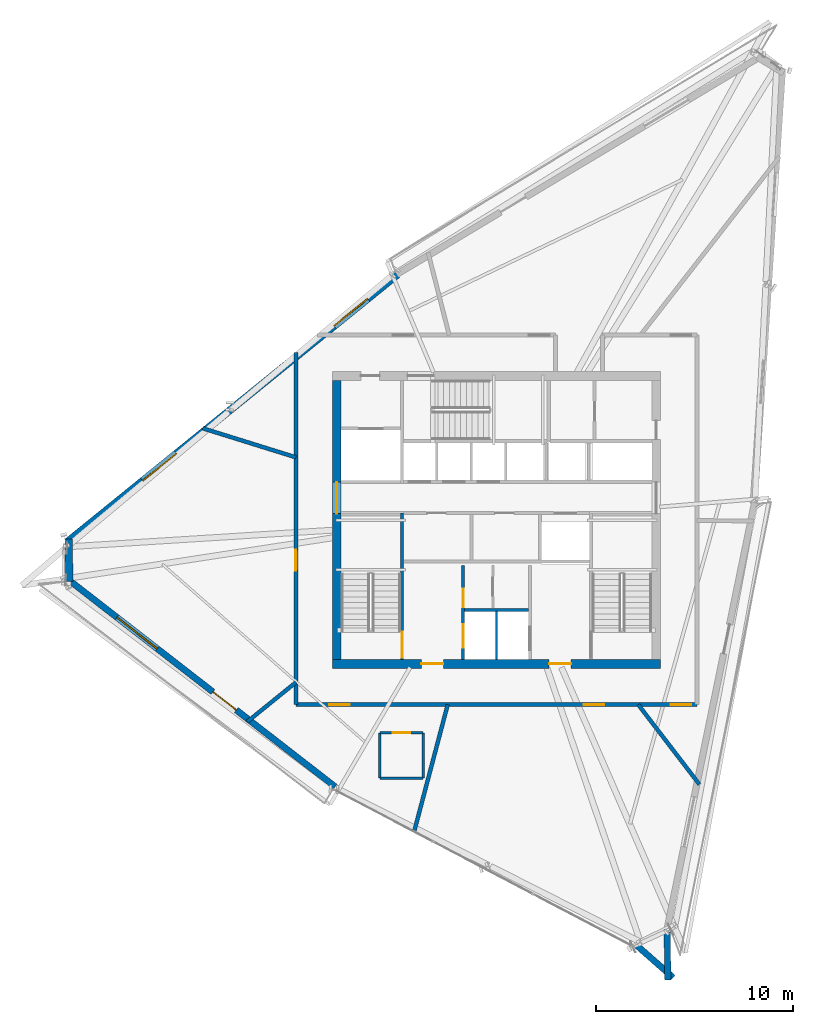
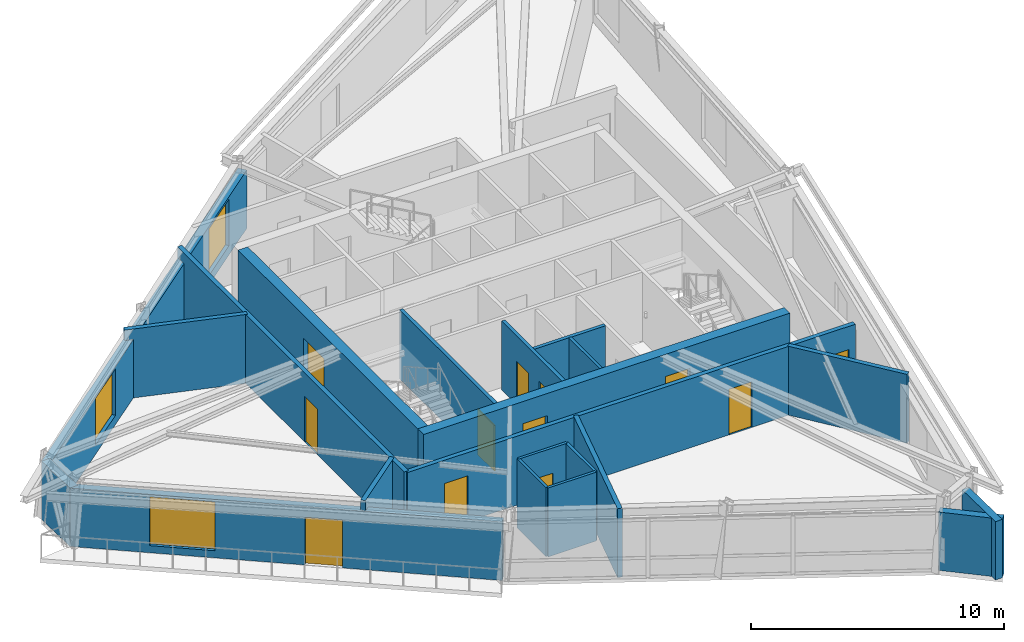
# One storey, part 9 of 14: 21 walls, 12 doors, 3 windows, 15 openings.
"""IFC4 building model written with IfcOpenShell, lengths in metres."""

from ifc_helpers import new_model, si_unit, direction, frame, frame_2d, origin, place, context, subcontext, project, spatial, rectangle, extrude, source, transform, mapped, material, layer, layer_set, type_object, type_shapes, element, fill, save


model = new_model("IFC4")

# Units and contexts
model_context = context("Model", 3, precision=1e-05, world=origin(), true_north=direction((0.0, 1.0)))
body_context = subcontext(model_context, "Body", "Model", "MODEL_VIEW")
ifc_project = project(units=[si_unit("LENGTHUNIT", "METRE"), si_unit("AREAUNIT", "SQUARE_METRE"), si_unit("VOLUMEUNIT", "CUBIC_METRE"), si_unit("PLANEANGLEUNIT", "RADIAN"), si_unit("MASSUNIT", "GRAM", prefix="KILO")], contexts=[model_context])

# Site, building, storey
site_placement = place(None, origin())
site = spatial("IfcSite", under=ifc_project, at=site_placement, CompositionType="ELEMENT")
building_placement = place(site_placement, origin())
building = spatial("IfcBuilding", under=site, at=building_placement, Name="Olszyna Solenne Hotel", CompositionType="ELEMENT")
storey_placement = place(building_placement, frame((0.0, 0.0, 274.10009765625)))
storey = spatial("IfcBuildingStorey", under=building, at=storey_placement, Name="L73", CompositionType="ELEMENT", Elevation=274.10009765625)

# Wall, openings, doors
ifc_material_1 = material(Name="Concrete C50/60", Category="concrete")
ifc_layer_1 = layer(ifc_material_1, 0.449951171875, Name="Concrete C50/60")
ifc_layer_set_1 = layer_set([ifc_layer_1], Name="Concrete C50/60")
wall_type_1 = type_object("IfcWallType", Name="WL-CR450", PredefinedType="SHEAR", material=ifc_layer_set_1)
wall_1_placement = place(storey_placement, frame((46.35009765625, 19.27490234375, 0.0), z_axis=(0.0, 0.0, 1.0), x_axis=(-1.0, 0.0, 0.0)))
wall_1 = element("IfcWall", 1, at=wall_1_placement, inside=storey, type_object=wall_type_1, Name="Core shear wall WL-CR450 CRW-L73-S", PredefinedType="SHEAR", context=body_context, shape_type="SweptSolid", body=[
    extrude(rectangle(XDim=16.7001953125, YDim=0.449951171875, at=frame_2d((8.35009765625, 0.0))), origin(), (0.0, 0.0, 1.0), 3.31982421875),
])
opening_1_placement = place(wall_1_placement, frame((4.550048828125, 0.0, 0.0)))
opening_1 = element("IfcOpeningElement", 2, at=opening_1_placement, cuts=wall_1, Name="Opening FL-L73-1", PredefinedType="OPENING", context=body_context, shape_type="SweptSolid", body=[
    extrude(rectangle(XDim=1.1201171875, YDim=2.25, at=frame_2d((0.56005859375, 1.125))), frame((0.0, 0.23486328125, 0.0), z_axis=(0.0, -1.0, 0.0), x_axis=(1.0, 0.0, 0.0)), (0.0, 0.0, 1.0), 0.469970703125),
])
opening_2_placement = place(wall_1_placement, frame((11.050048828125, 0.0, 0.0)))
opening_2 = element("IfcOpeningElement", 3, at=opening_2_placement, cuts=wall_1, Name="Opening FL-L73-2", PredefinedType="OPENING", context=body_context, shape_type="SweptSolid", body=[
    extrude(rectangle(XDim=1.1201171875, YDim=2.25, at=frame_2d((0.56005859375, 1.125))), frame((0.0, 0.23486328125, 0.0), z_axis=(0.0, -1.0, 0.0), x_axis=(1.0, 0.0, 0.0)), (0.0, 0.0, 1.0), 0.469970703125),
])
ifc_material_2 = material(Name="Steel S355J2", Category="steel")
door_type_1 = type_object("IfcDoorType", Name="DR-FL1", OperationType="NOTDEFINED", PredefinedType="DOOR", material=ifc_material_2)
shared_shape_1 = source(origin(), body_context, "Body", "SweptSolid", [
    extrude(rectangle(XDim=1.1201171875, YDim=2.25, at=frame_2d((0.56005859375, 1.125))), frame((0.0, 0.02490234375, 0.0), z_axis=(0.0, -1.0, 0.0), x_axis=(1.0, 0.0, 0.0)), (0.0, 0.0, 1.0), 0.050048828125),
])
type_shapes(door_type_1, [shared_shape_1])
door_1_placement = place(opening_1_placement, origin())
door_1 = element("IfcDoor", 4, at=door_1_placement, inside=storey, type_object=door_type_1, Name="Firefighting lift lobby smoke door FL-L73-1", OperationType="SINGLE_SWING_LEFT", OverallHeight=2.25, OverallWidth=1.1201171875, PredefinedType="DOOR", context=body_context, shape_type="MappedRepresentation", body=[
    mapped(shared_shape_1, transform((0.0, 0.0, 0.0), x_axis=(1.0, 0.0, 0.0), y_axis=(0.0, 1.0, 0.0), z_axis=(0.0, 0.0, 1.0), scale=1.0)),
])
fill(opening_1, door_1)
door_2_placement = place(opening_2_placement, origin())
door_2 = element("IfcDoor", 5, at=door_2_placement, inside=storey, type_object=door_type_1, Name="Firefighting lift lobby smoke door FL-L73-2", OperationType="SINGLE_SWING_RIGHT", OverallHeight=2.25, OverallWidth=1.1201171875, PredefinedType="DOOR", context=body_context, shape_type="MappedRepresentation", body=[
    mapped(shared_shape_1, transform((0.0, 0.0, 0.0), x_axis=(1.0, 0.0, 0.0), y_axis=(0.0, 1.0, 0.0), z_axis=(0.0, 0.0, 1.0), scale=1.0)),
])
fill(opening_2, door_2)

# Wall, opening, door
wall_2_placement = place(storey_placement, frame((29.875, 19.5, 0.0), z_axis=(0.0, 0.0, 1.0), x_axis=(0.0, 1.0, 0.0)))
wall_2 = element("IfcWall", 6, at=wall_2_placement, inside=storey, type_object=wall_type_1, Name="Core shear wall WL-CR450 CRW-L73-W", PredefinedType="SHEAR", context=body_context, shape_type="SweptSolid", body=[
    extrude(rectangle(XDim=14.199951171875, YDim=0.449951171875, at=frame_2d((7.10009765625, 0.0))), origin(), (0.0, 0.0, 1.0), 3.31982421875),
])
opening_3_placement = place(wall_2_placement, frame((7.419921875, 0.0, 0.0)))
opening_3 = element("IfcOpeningElement", 7, at=opening_3_placement, cuts=wall_2, Name="Opening LHD-L73-W", PredefinedType="OPENING", context=body_context, shape_type="SweptSolid", body=[
    extrude(rectangle(XDim=1.60009765625, YDim=2.199951171875, at=frame_2d((0.800048828125, 1.10009765625))), frame((0.0, 0.23486328125, 0.0), z_axis=(0.0, -1.0, 0.0), x_axis=(1.0, 0.0, 0.0)), (0.0, 0.0, 1.0), 0.469970703125),
])
ifc_material_3 = material(Name="Timber hardwood", Category="wood")
door_type_2 = type_object("IfcDoorType", Name="DR-CR1", OperationType="DOUBLE_DOOR_SINGLE_SWING", PredefinedType="DOOR", material=ifc_material_3)
shared_shape_2 = source(origin(), body_context, "Body", "SweptSolid", [
    extrude(rectangle(XDim=1.60009765625, YDim=2.199951171875, at=frame_2d((0.800048828125, 1.10009765625))), frame((0.0, 0.02490234375, 0.0), z_axis=(0.0, -1.0, 0.0), x_axis=(1.0, 0.0, 0.0)), (0.0, 0.0, 1.0), 0.050048828125),
])
type_shapes(door_type_2, [shared_shape_2])
door_3_placement = place(opening_3_placement, origin())
door_3 = element("IfcDoor", 8, at=door_3_placement, inside=storey, type_object=door_type_2, Name="Passenger lift lobby West fire door LHD-L73-W", OperationType="DOUBLE_DOOR_SINGLE_SWING", OverallHeight=2.199951171875, OverallWidth=1.60009765625, PredefinedType="DOOR", context=body_context, shape_type="MappedRepresentation", body=[
    mapped(shared_shape_2, transform((0.0, 0.0, 0.0), x_axis=(1.0, 0.0, 0.0), y_axis=(0.0, 1.0, 0.0), z_axis=(0.0, 0.0, 1.0), scale=1.0)),
])
fill(opening_3, door_3)

# Walls
ifc_material_4 = material(Name="Precast concrete C45/55", Category="concrete")
ifc_layer_2 = layer(ifc_material_4, 0.320068359375, Name="Precast concrete C45/55")
ifc_layer_set_2 = layer_set([ifc_layer_2], Name="Precast concrete C45/55")
wall_type_2 = type_object("IfcWallType", Name="WL-EX320", PredefinedType="SOLIDWALL", material=ifc_layer_set_2)
for number, where, z_axis, x_axis, name in (
    (9, (46.67578125, 5.770751953125, 0.0), (0.0, 0.0, 1.0), (0.015958446341, -0.999872655887, 0.0), "Exterior terracotta-precast frame wall WL-EX320 EW-L73-02"),
    (10, (46.982421875, 3.32373046875, 0.0), (0.0, 0.0, 1.0), (-0.751097809898, 0.660190942051, 0.0), "Exterior terracotta-precast frame wall WL-EX320 EW-L73-03"),
):
    element("IfcWall", number, at=place(storey_placement, frame(where, z_axis=z_axis, x_axis=x_axis)), inside=storey, type_object=wall_type_2, Name=name, PredefinedType="SOLIDWALL", context=body_context, shape_type="SweptSolid", body=[
        extrude(rectangle(XDim=2.570068359375, YDim=0.320068359375, at=frame_2d((1.28515625, 0.0))), origin(), (0.0, 0.0, 1.0), 2.81201171875),
    ])

# Wall, openings, door, window
wall_3_placement = place(storey_placement, frame((29.789794921875, 13.02783203125, 0.0), z_axis=(0.0, 0.0, 1.0), x_axis=(-0.78993873284, 0.613185778014, 0.0)))
wall_3 = element("IfcWall", 11, at=wall_3_placement, inside=storey, type_object=wall_type_2, Name="Exterior terracotta-precast frame wall WL-EX320 EW-L73-05", PredefinedType="SOLIDWALL", context=body_context, shape_type="SweptSolid", body=[
    extrude(rectangle(XDim=17.2255859375, YDim=0.320068359375, at=frame_2d((8.61279296875, 0.0))), origin(), (0.0, 0.0, 1.0), 2.81201171875),
])
opening_4_placement = place(wall_3_placement, frame((6.362060546875, 0.0, 0.0)))
opening_4 = element("IfcOpeningElement", 12, at=opening_4_placement, cuts=wall_3, Name="Opening LDG-L73-2", PredefinedType="OPENING", context=body_context, shape_type="SweptSolid", body=[
    extrude(rectangle(XDim=1.5, YDim=2.300048828125, at=frame_2d((0.75, 1.14990234375))), frame((0.0, 0.169921875, 0.0), z_axis=(0.0, -1.0, 0.0), x_axis=(1.0, 0.0, 0.0)), (0.0, 0.0, 1.0), 0.340087890625),
])
opening_5_placement = place(wall_3_placement, frame((11.447021484375, 0.0, 0.342041015625)))
opening_5 = element("IfcOpeningElement", 13, at=opening_5_placement, cuts=wall_3, Name="Opening WN-L73-488", PredefinedType="OPENING", context=body_context, shape_type="SweptSolid", body=[
    extrude(rectangle(XDim=2.60009765625, YDim=2.35009765625, at=frame_2d((1.300048828125, 1.175048828125))), frame((0.0, 0.169921875, 0.0), z_axis=(0.0, -1.0, 0.0), x_axis=(1.0, 0.0, 0.0)), (0.0, 0.0, 1.0), 0.340087890625),
])
ifc_material_5 = material(Name="Anodised bronze aluminium", Category="aluminium")
door_type_3 = type_object("IfcDoorType", Name="DR-LG2", OperationType="DOUBLE_DOOR_SINGLE_SWING", PredefinedType="DOOR", material=ifc_material_5)
shared_shape_3 = source(origin(), body_context, "Body", "SweptSolid", [
    extrude(rectangle(XDim=1.5, YDim=2.300048828125, at=frame_2d((0.75, 1.14990234375))), frame((0.0, 0.02490234375, 0.0), z_axis=(0.0, -1.0, 0.0), x_axis=(1.0, 0.0, 0.0)), (0.0, 0.0, 1.0), 0.050048828125),
])
type_shapes(door_type_3, [shared_shape_3])
door_4_placement = place(opening_4_placement, origin())
door_4 = element("IfcDoor", 14, at=door_4_placement, inside=storey, type_object=door_type_3, Name="Exterior loggia balcony door DR-LG2 LDG-L73-2", OperationType="DOUBLE_DOOR_SINGLE_SWING", OverallHeight=2.300048828125, OverallWidth=1.5, PredefinedType="DOOR", context=body_context, shape_type="MappedRepresentation", body=[
    mapped(shared_shape_3, transform((0.0, 0.0, 0.0), x_axis=(1.0, 0.0, 0.0), y_axis=(0.0, 1.0, 0.0), z_axis=(0.0, 0.0, 1.0), scale=1.0)),
])
fill(opening_4, door_4)
ifc_material_6 = material(Name="Low-E triple glazing", Category="glass")
window_type_1 = type_object("IfcWindowType", Name="WN-ST1", PartitioningType="SINGLE_PANEL", PredefinedType="WINDOW", material=ifc_material_6)
shared_shape_4 = source(origin(), body_context, "Body", "SweptSolid", [
    extrude(rectangle(XDim=2.60009765625, YDim=2.35009765625, at=frame_2d((1.300048828125, 1.175048828125))), frame((0.0, 0.030029296875, 0.0), z_axis=(0.0, -1.0, 0.0), x_axis=(1.0, 0.0, 0.0)), (0.0, 0.0, 1.0), 0.06005859375),
])
type_shapes(window_type_1, [shared_shape_4])
window_1_placement = place(opening_5_placement, origin())
window_1 = element("IfcWindow", 15, at=window_1_placement, inside=storey, type_object=window_type_1, Name="Loggia room window WN-ST1 WN-L73-488", OverallHeight=2.35009765625, OverallWidth=2.60009765625, PartitioningType="SINGLE_PANEL", PredefinedType="WINDOW", context=body_context, shape_type="MappedRepresentation", body=[
    mapped(shared_shape_4, transform((0.0, 0.0, 0.0), x_axis=(1.0, 0.0, 0.0), y_axis=(0.0, 1.0, 0.0), z_axis=(0.0, 0.0, 1.0), scale=1.0)),
])
fill(opening_5, window_1)

# Wall
ifc_material_7 = material(Name="Terracotta cladding on precast concrete C45/55", Category="masonry")
ifc_layer_3 = layer(ifc_material_7, 0.3798828125, Name="Terracotta cladding on precast concrete C45/55")
ifc_layer_set_3 = layer_set([ifc_layer_3], Name="Terracotta cladding on precast concrete C45/55")
wall_type_3 = type_object("IfcWallType", Name="WL-EX380", PredefinedType="SOLIDWALL", material=ifc_layer_set_3)
wall_4_placement = place(storey_placement, frame((16.2744140625, 23.467529296875, 0.0), z_axis=(0.0, 0.0, 1.0), x_axis=(-0.019207666141, 0.999815515763, 0.0)))
element("IfcWall", 16, at=wall_4_placement, inside=storey, type_object=wall_type_3, Name="Exterior terracotta-precast frame wall WL-EX380 EW-L73-06", PredefinedType="SOLIDWALL", context=body_context, shape_type="SweptSolid", body=[
    extrude(rectangle(XDim=2.160888671875, YDim=0.3798828125, at=frame_2d((1.08056640625, 0.0))), origin(), (0.0, 0.0, 1.0), 2.81201171875),
])

# Wall, openings, windows
wall_5_placement = place(storey_placement, frame((16.162353515625, 25.4765625, 0.0), z_axis=(0.0, 0.0, 1.0), x_axis=(0.777216193482, 0.629233651825, 0.0)))
wall_5 = element("IfcWall", 17, at=wall_5_placement, inside=storey, type_object=wall_type_3, Name="Exterior terracotta-precast frame wall WL-EX380 EW-L73-07", PredefinedType="SOLIDWALL", context=body_context, shape_type="SweptSolid", body=[
    extrude(rectangle(XDim=21.610595703125, YDim=0.3798828125, at=frame_2d((10.80517578125, 0.0))), origin(), (0.0, 0.0, 1.0), 2.81201171875),
])
opening_6_placement = place(wall_5_placement, frame((4.950927734375, 0.0, 0.44189453125)))
opening_6 = element("IfcOpeningElement", 18, at=opening_6_placement, cuts=wall_5, Name="Opening WN-L73-489", PredefinedType="OPENING", context=body_context, shape_type="SweptSolid", body=[
    extrude(rectangle(XDim=2.199951171875, YDim=2.25, at=frame_2d((1.10009765625, 1.125))), frame((0.0, 0.199951171875, 0.0), z_axis=(0.0, -1.0, 0.0), x_axis=(1.0, 0.0, 0.0)), (0.0, 0.0, 1.0), 0.39990234375),
])
opening_7_placement = place(wall_5_placement, frame((17.4599609375, 0.0, 0.44189453125)))
opening_7 = element("IfcOpeningElement", 19, at=opening_7_placement, cuts=wall_5, Name="Opening WN-L73-490", PredefinedType="OPENING", context=body_context, shape_type="SweptSolid", body=[
    extrude(rectangle(XDim=2.199951171875, YDim=2.25, at=frame_2d((1.10009765625, 1.125))), frame((0.0, 0.199951171875, 0.0), z_axis=(0.0, -1.0, 0.0), x_axis=(1.0, 0.0, 0.0)), (0.0, 0.0, 1.0), 0.39990234375),
])
window_type_2 = type_object("IfcWindowType", Name="WN-HT2", PartitioningType="SINGLE_PANEL", PredefinedType="WINDOW", material=ifc_material_6)
shared_shape_5 = source(origin(), body_context, "Body", "SweptSolid", [
    extrude(rectangle(XDim=2.199951171875, YDim=2.25, at=frame_2d((1.10009765625, 1.125))), frame((0.0, 0.030029296875, 0.0), z_axis=(0.0, -1.0, 0.0), x_axis=(1.0, 0.0, 0.0)), (0.0, 0.0, 1.0), 0.06005859375),
])
type_shapes(window_type_2, [shared_shape_5])
window_2_placement = place(opening_6_placement, origin())
window_2 = element("IfcWindow", 20, at=window_2_placement, inside=storey, type_object=window_type_2, Name="Exterior facade window WN-HT2 WN-L73-489", OverallHeight=2.25, OverallWidth=2.199951171875, PartitioningType="SINGLE_PANEL", PredefinedType="WINDOW", context=body_context, shape_type="MappedRepresentation", body=[
    mapped(shared_shape_5, transform((0.0, 0.0, 0.0), x_axis=(1.0, 0.0, 0.0), y_axis=(0.0, 1.0, 0.0), z_axis=(0.0, 0.0, 1.0), scale=1.0)),
])
fill(opening_6, window_2)
window_3_placement = place(opening_7_placement, origin())
window_3 = element("IfcWindow", 21, at=window_3_placement, inside=storey, type_object=window_type_2, Name="Exterior facade window WN-HT2 WN-L73-490", OverallHeight=2.25, OverallWidth=2.199951171875, PartitioningType="SINGLE_PANEL", PredefinedType="WINDOW", context=body_context, shape_type="MappedRepresentation", body=[
    mapped(shared_shape_5, transform((0.0, 0.0, 0.0), x_axis=(1.0, 0.0, 0.0), y_axis=(0.0, 1.0, 0.0), z_axis=(0.0, 0.0, 1.0), scale=1.0)),
])
fill(opening_7, window_3)

# Walls
ifc_material_8 = material(Name="Acoustic gypsum partition", Category="gypsum")
ifc_layer_4 = layer(ifc_material_8, 0.125, Name="Acoustic gypsum partition")
ifc_layer_set_4 = layer_set([ifc_layer_4], Name="Acoustic gypsum partition")
wall_type_4 = type_object("IfcWallType", Name="WL-PT125", PredefinedType="PARTITIONING", material=ifc_layer_set_4)
wall_6_placement = place(storey_placement, frame((38.0, 19.5, 0.0), z_axis=(0.0, 0.0, 1.0), x_axis=(0.0, 1.0, 0.0)))
element("IfcWall", 22, at=wall_6_placement, inside=storey, type_object=wall_type_4, Name="Core shaft compartment wall CW-L73-FFM", PredefinedType="PARTITIONING", context=body_context, shape_type="SweptSolid", body=[
    extrude(rectangle(XDim=2.4599609375, YDim=0.125, at=frame_2d((1.22998046875, 0.0))), origin(), (0.0, 0.0, 1.0), 3.31982421875),
])
wall_7_placement = place(storey_placement, frame((34.26806640625, 13.462890625, 0.0), z_axis=(0.0, 0.0, 1.0), x_axis=(0.0, 1.0, 0.0)))
element("IfcWall", 23, at=wall_7_placement, inside=storey, type_object=wall_type_4, Name="Interior acoustic partition WL-PT125 PW-L73-4015", PredefinedType="PARTITIONING", context=body_context, shape_type="SweptSolid", body=[
    extrude(rectangle(XDim=2.300048828125, YDim=0.125, at=frame_2d((1.14990234375, 0.0))), origin(), (0.0, 0.0, 1.0), 3.31982421875),
])

# Wall, opening, door
wall_8_placement = place(storey_placement, frame((34.26806640625, 15.762939453125, 0.0), z_axis=(0.0, 0.0, 1.0), x_axis=(-1.0, 0.0, 0.0)))
wall_8 = element("IfcWall", 24, at=wall_8_placement, inside=storey, type_object=wall_type_4, Name="Interior acoustic partition WL-PT125 PW-L73-4016", PredefinedType="PARTITIONING", context=body_context, shape_type="SweptSolid", body=[
    extrude(rectangle(XDim=2.199951171875, YDim=0.125, at=frame_2d((1.10009765625, 0.0))), origin(), (0.0, 0.0, 1.0), 3.31982421875),
])
opening_8_placement = place(wall_8_placement, frame((0.64990234375, 0.0, 0.0)))
opening_8 = element("IfcOpeningElement", 25, at=opening_8_placement, cuts=wall_8, Name="Opening DR-L73-0970", PredefinedType="OPENING", context=body_context, shape_type="SweptSolid", body=[
    extrude(rectangle(XDim=0.89990234375, YDim=2.10009765625, at=frame_2d((0.449951171875, 1.050048828125))), frame((0.0, 0.072509765625, 0.0), z_axis=(0.0, -1.0, 0.0), x_axis=(1.0, 0.0, 0.0)), (0.0, 0.0, 1.0), 0.14501953125),
])
door_type_4 = type_object("IfcDoorType", Name="DR-WC1", OperationType="NOTDEFINED", PredefinedType="DOOR", material=ifc_material_3)
shared_shape_6 = source(origin(), body_context, "Body", "SweptSolid", [
    extrude(rectangle(XDim=0.89990234375, YDim=2.10009765625, at=frame_2d((0.449951171875, 1.050048828125))), frame((0.0, 0.02490234375, 0.0), z_axis=(0.0, -1.0, 0.0), x_axis=(1.0, 0.0, 0.0)), (0.0, 0.0, 1.0), 0.050048828125),
])
type_shapes(door_type_4, [shared_shape_6])
door_5_placement = place(opening_8_placement, origin())
door_5 = element("IfcDoor", 26, at=door_5_placement, inside=storey, type_object=door_type_4, Name="En-Suite Bathroom Door DR-L73-0970", OperationType="SINGLE_SWING_LEFT", OverallHeight=2.10009765625, OverallWidth=0.89990234375, PredefinedType="DOOR", context=body_context, shape_type="MappedRepresentation", body=[
    mapped(shared_shape_6, transform((0.0, 0.0, 0.0), x_axis=(1.0, 0.0, 0.0), y_axis=(0.0, 1.0, 0.0), z_axis=(0.0, 0.0, 1.0), scale=1.0)),
])
fill(opening_8, door_5)

# Walls
wall_9_placement = place(storey_placement, frame((32.068115234375, 15.762939453125, 0.0), z_axis=(0.0, 0.0, 1.0), x_axis=(0.0, -1.0, 0.0)))
element("IfcWall", 27, at=wall_9_placement, inside=storey, type_object=wall_type_4, Name="Interior acoustic partition WL-PT125 PW-L73-4017", PredefinedType="PARTITIONING", context=body_context, shape_type="SweptSolid", body=[
    extrude(rectangle(XDim=2.300048828125, YDim=0.125, at=frame_2d((1.14990234375, 0.0))), origin(), (0.0, 0.0, 1.0), 3.31982421875),
])
wall_10_placement = place(storey_placement, frame((32.068115234375, 13.462890625, 0.0), z_axis=(0.0, 0.0, 1.0), x_axis=(1.0, 0.0, 0.0)))
element("IfcWall", 28, at=wall_10_placement, inside=storey, type_object=wall_type_4, Name="Interior acoustic partition WL-PT125 PW-L73-4018", PredefinedType="PARTITIONING", context=body_context, shape_type="SweptSolid", body=[
    extrude(rectangle(XDim=2.199951171875, YDim=0.125, at=frame_2d((1.10009765625, 0.0))), origin(), (0.0, 0.0, 1.0), 3.31982421875),
])

# Wall, opening, door
ifc_layer_5 = layer(ifc_material_8, 0.159912109375, Name="Acoustic gypsum partition")
ifc_layer_set_5 = layer_set([ifc_layer_5], Name="Acoustic gypsum partition")
wall_type_5 = type_object("IfcWallType", Name="WL-PT160", PredefinedType="PARTITIONING", material=ifc_layer_set_5)
wall_11_placement = place(storey_placement, frame((33.199951171875, 19.5, 0.0), z_axis=(0.0, 0.0, 1.0), x_axis=(0.0, 1.0, 0.0)))
wall_11 = element("IfcWall", 29, at=wall_11_placement, inside=storey, type_object=wall_type_5, Name="Core shaft compartment wall CW-L73-ST1E", PredefinedType="PARTITIONING", context=body_context, shape_type="SweptSolid", body=[
    extrude(rectangle(XDim=7.4599609375, YDim=0.159912109375, at=frame_2d((3.72998046875, 0.0))), origin(), (0.0, 0.0, 1.0), 3.31982421875),
])
opening_9_placement = place(wall_11_placement, frame((0.080078125, 0.0, 0.0)))
opening_9 = element("IfcOpeningElement", 30, at=opening_9_placement, cuts=wall_11, Name="Opening STD-L73-01", PredefinedType="OPENING", context=body_context, shape_type="SweptSolid", body=[
    extrude(rectangle(XDim=1.320068359375, YDim=2.199951171875, at=frame_2d((0.66015625, 1.10009765625))), frame((0.0, 0.08984375, 0.0), z_axis=(0.0, -1.0, 0.0), x_axis=(1.0, 0.0, 0.0)), (0.0, 0.0, 1.0), 0.179931640625),
])
door_type_5 = type_object("IfcDoorType", Name="DR-ST1", OperationType="NOTDEFINED", PredefinedType="DOOR", material=ifc_material_2)
shared_shape_7 = source(origin(), body_context, "Body", "SweptSolid", [
    extrude(rectangle(XDim=1.320068359375, YDim=2.199951171875, at=frame_2d((0.66015625, 1.10009765625))), frame((0.0, 0.02490234375, 0.0), z_axis=(0.0, -1.0, 0.0), x_axis=(1.0, 0.0, 0.0)), (0.0, 0.0, 1.0), 0.050048828125),
])
type_shapes(door_type_5, [shared_shape_7])
door_6_placement = place(opening_9_placement, origin())
door_6 = element("IfcDoor", 31, at=door_6_placement, inside=storey, type_object=door_type_5, Name="Pressurised exit stair ST1 fire door STD-L73-01", OperationType="SINGLE_SWING_LEFT", OverallHeight=2.199951171875, OverallWidth=1.320068359375, PredefinedType="DOOR", context=body_context, shape_type="MappedRepresentation", body=[
    mapped(shared_shape_7, transform((0.0, 0.0, 0.0), x_axis=(1.0, 0.0, 0.0), y_axis=(0.0, 1.0, 0.0), z_axis=(0.0, 0.0, 1.0), scale=1.0)),
])
fill(opening_9, door_6)

# Wall, openings, doors
wall_12_placement = place(storey_placement, frame((36.300048828125, 19.5, 0.0), z_axis=(0.0, 0.0, 1.0), x_axis=(0.0, 1.0, 0.0)))
wall_12 = element("IfcWall", 32, at=wall_12_placement, inside=storey, type_object=wall_type_5, Name="Core shaft compartment wall CW-L73-FF1W", PredefinedType="PARTITIONING", context=body_context, shape_type="SweptSolid", body=[
    extrude(rectangle(XDim=4.780029296875, YDim=0.159912109375, at=frame_2d((2.39013671875, 0.0))), origin(), (0.0, 0.0, 1.0), 3.31982421875),
])
opening_10_placement = place(wall_12_placement, frame((0.60009765625, 0.0, 0.0)))
opening_10 = element("IfcOpeningElement", 33, at=opening_10_placement, cuts=wall_12, Name="Opening LD-L73-FF1", PredefinedType="OPENING", context=body_context, shape_type="SweptSolid", body=[
    extrude(rectangle(XDim=1.199951171875, YDim=2.199951171875, at=frame_2d((0.60009765625, 1.10009765625))), frame((0.0, 0.08984375, 0.0), z_axis=(0.0, -1.0, 0.0), x_axis=(1.0, 0.0, 0.0)), (0.0, 0.0, 1.0), 0.179931640625),
])
opening_11_placement = place(wall_12_placement, frame((2.64990234375, 0.0, 0.0)))
opening_11 = element("IfcOpeningElement", 34, at=opening_11_placement, cuts=wall_12, Name="Opening SVD-L73-SMK", PredefinedType="OPENING", context=body_context, shape_type="SweptSolid", body=[
    extrude(rectangle(XDim=0.949951171875, YDim=2.10009765625, at=frame_2d((0.47509765625, 1.050048828125))), frame((0.0, 0.08984375, 0.0), z_axis=(0.0, -1.0, 0.0), x_axis=(1.0, 0.0, 0.0)), (0.0, 0.0, 1.0), 0.179931640625),
])
door_type_6 = type_object("IfcDoorType", Name="DR-SV1", OperationType="NOTDEFINED", PredefinedType="DOOR", material=ifc_material_2)
shared_shape_8 = source(origin(), body_context, "Body", "SweptSolid", [
    extrude(rectangle(XDim=0.949951171875, YDim=2.10009765625, at=frame_2d((0.47509765625, 1.050048828125))), frame((0.0, 0.02490234375, 0.0), z_axis=(0.0, -1.0, 0.0), x_axis=(1.0, 0.0, 0.0)), (0.0, 0.0, 1.0), 0.050048828125),
])
type_shapes(door_type_6, [shared_shape_8])
door_7_placement = place(opening_11_placement, origin())
door_7 = element("IfcDoor", 35, at=door_7_placement, inside=storey, type_object=door_type_6, Name="Valet and core service room door SVD-L73-SMK", OperationType="SINGLE_SWING_LEFT", OverallHeight=2.10009765625, OverallWidth=0.949951171875, PredefinedType="DOOR", context=body_context, shape_type="MappedRepresentation", body=[
    mapped(shared_shape_8, transform((0.0, 0.0, 0.0), x_axis=(1.0, 0.0, 0.0), y_axis=(0.0, 1.0, 0.0), z_axis=(0.0, 0.0, 1.0), scale=1.0)),
])
fill(opening_11, door_7)
door_type_7 = type_object("IfcDoorType", Name="LD-FF1", OperationType="DOUBLE_DOOR_SLIDING", PredefinedType="DOOR", material=ifc_material_2)
shared_shape_9 = source(origin(), body_context, "Body", "SweptSolid", [
    extrude(rectangle(XDim=1.199951171875, YDim=2.199951171875, at=frame_2d((0.60009765625, 1.10009765625))), frame((0.0, 0.02490234375, 0.0), z_axis=(0.0, -1.0, 0.0), x_axis=(1.0, 0.0, 0.0)), (0.0, 0.0, 1.0), 0.050048828125),
])
type_shapes(door_type_7, [shared_shape_9])
door_8_placement = place(opening_10_placement, origin())
door_8 = element("IfcDoor", 36, at=door_8_placement, inside=storey, type_object=door_type_7, Name="Firefighters lift FF1 sliding landing door LD-L73-FF1", OperationType="DOUBLE_DOOR_SLIDING", OverallHeight=2.199951171875, OverallWidth=1.199951171875, PredefinedType="DOOR", context=body_context, shape_type="MappedRepresentation", body=[
    mapped(shared_shape_9, transform((0.0, 0.0, 0.0), x_axis=(1.0, 0.0, 0.0), y_axis=(0.0, 1.0, 0.0), z_axis=(0.0, 0.0, 1.0), scale=1.0)),
])
fill(opening_10, door_8)

# Walls
wall_13_placement = place(storey_placement, frame((36.3798828125, 22.02001953125, 0.0), z_axis=(0.0, 0.0, 1.0), x_axis=(1.0, 0.0, 0.0)))
element("IfcWall", 37, at=wall_13_placement, inside=storey, type_object=wall_type_5, Name="Core shaft compartment wall CW-L73-FFN", PredefinedType="PARTITIONING", context=body_context, shape_type="SweptSolid", body=[
    extrude(rectangle(XDim=3.240234375, YDim=0.159912109375, at=frame_2d((1.6201171875, 0.0))), origin(), (0.0, 0.0, 1.0), 3.31982421875),
])
ifc_layer_6 = layer(ifc_material_8, 0.199951171875, Name="Acoustic gypsum partition")
ifc_layer_set_6 = layer_set([ifc_layer_6], Name="Acoustic gypsum partition")
wall_type_6 = type_object("IfcWallType", Name="WL-PT200", PredefinedType="PARTITIONING", material=ifc_layer_set_6)
wall_14_placement = place(storey_placement, frame((35.516357421875, 17.199951171875, 0.0), z_axis=(0.0, 0.0, 1.0), x_axis=(-0.255438396105, -0.966825333654, 0.0)))
element("IfcWall", 38, at=wall_14_placement, inside=storey, type_object=wall_type_6, Name="Interior acoustic partition WL-PT200 PW-L73-4008", PredefinedType="PARTITIONING", context=body_context, shape_type="SweptSolid", body=[
    extrude(rectangle(XDim=6.6494140625, YDim=0.199951171875, at=frame_2d((3.32470703125, 0.0))), origin(), (0.0, 0.0, 1.0), 3.31982421875),
])
wall_15_placement = place(storey_placement, frame((45.21044921875, 17.199951171875, 0.0), z_axis=(0.0, 0.0, 1.0), x_axis=(0.608631250034, -0.793453213165, 0.0)))
element("IfcWall", 39, at=wall_15_placement, inside=storey, type_object=wall_type_6, Name="Interior acoustic partition WL-PT200 PW-L73-4009", PredefinedType="PARTITIONING", context=body_context, shape_type="SweptSolid", body=[
    extrude(rectangle(XDim=5.106689453125, YDim=0.199951171875, at=frame_2d((2.55322265625, 0.0))), origin(), (0.0, 0.0, 1.0), 3.31982421875),
])
wall_16_placement = place(storey_placement, frame((27.800048828125, 29.77978515625, 0.0), z_axis=(0.0, 0.0, 1.0), x_axis=(-0.954691098167, 0.297598567002, 0.0)))
element("IfcWall", 40, at=wall_16_placement, inside=storey, type_object=wall_type_6, Name="Interior acoustic partition WL-PT200 PW-L73-4013", PredefinedType="PARTITIONING", context=body_context, shape_type="SweptSolid", body=[
    extrude(rectangle(XDim=4.973876953125, YDim=0.199951171875, at=frame_2d((2.48681640625, 0.0))), origin(), (0.0, 0.0, 1.0), 3.31982421875),
])
wall_17_placement = place(storey_placement, frame((27.800048828125, 18.340576171875, 0.0), z_axis=(0.0, 0.0, 1.0), x_axis=(-0.777145079271, -0.629321480457, 0.0)))
element("IfcWall", 41, at=wall_17_placement, inside=storey, type_object=wall_type_6, Name="Interior acoustic partition WL-PT200 PW-L73-4014", PredefinedType="PARTITIONING", context=body_context, shape_type="SweptSolid", body=[
    extrude(rectangle(XDim=3.19091796875, YDim=0.199951171875, at=frame_2d((1.595458984375, 0.0))), origin(), (0.0, 0.0, 1.0), 3.31982421875),
])

# Wall, openings, doors
wall_18_placement = place(storey_placement, frame((27.800048828125, 17.199951171875, 0.0), z_axis=(0.0, 0.0, 1.0), x_axis=(1.0, 0.0, 0.0)))
wall_18 = element("IfcWall", 42, at=wall_18_placement, inside=storey, type_object=wall_type_6, Name="Interior acoustic partition WL-PT200 PW-L73-4019", PredefinedType="PARTITIONING", context=body_context, shape_type="SweptSolid", body=[
    extrude(rectangle(XDim=20.39990234375, YDim=0.199951171875, at=frame_2d((10.199951171875, 0.0))), origin(), (0.0, 0.0, 1.0), 3.31982421875),
])
opening_12_placement = place(wall_18_placement, frame((14.64111328125, 0.0, 0.0)))
opening_12 = element("IfcOpeningElement", 43, at=opening_12_placement, cuts=wall_18, Name="Opening DR-L73-0971", PredefinedType="OPENING", context=body_context, shape_type="SweptSolid", body=[
    extrude(rectangle(XDim=1.050048828125, YDim=2.199951171875, at=frame_2d((0.52490234375, 1.10009765625))), frame((0.0, 0.10986328125, 0.0), z_axis=(0.0, -1.0, 0.0), x_axis=(1.0, 0.0, 0.0)), (0.0, 0.0, 1.0), 0.219970703125),
])
opening_13_placement = place(wall_18_placement, frame((19.050048828125, 0.0, 0.0)))
opening_13 = element("IfcOpeningElement", 44, at=opening_13_placement, cuts=wall_18, Name="Opening DR-L73-0972", PredefinedType="OPENING", context=body_context, shape_type="SweptSolid", body=[
    extrude(rectangle(XDim=1.050048828125, YDim=2.199951171875, at=frame_2d((0.52490234375, 1.10009765625))), frame((0.0, 0.10986328125, 0.0), z_axis=(0.0, -1.0, 0.0), x_axis=(1.0, 0.0, 0.0)), (0.0, 0.0, 1.0), 0.219970703125),
])
opening_14_placement = place(wall_18_placement, frame((1.68994140625, 0.0, 0.0)))
opening_14 = element("IfcOpeningElement", 45, at=opening_14_placement, cuts=wall_18, Name="Opening DR-L73-0973", PredefinedType="OPENING", context=body_context, shape_type="SweptSolid", body=[
    extrude(rectangle(XDim=1.050048828125, YDim=2.199951171875, at=frame_2d((0.52490234375, 1.10009765625))), frame((0.0, 0.10986328125, 0.0), z_axis=(0.0, -1.0, 0.0), x_axis=(1.0, 0.0, 0.0)), (0.0, 0.0, 1.0), 0.219970703125),
])
door_type_8 = type_object("IfcDoorType", Name="DR-RM2", OperationType="NOTDEFINED", PredefinedType="DOOR", material=ifc_material_3)
shared_shape_10 = source(origin(), body_context, "Body", "SweptSolid", [
    extrude(rectangle(XDim=1.050048828125, YDim=2.199951171875, at=frame_2d((0.52490234375, 1.10009765625))), frame((0.0, 0.02490234375, 0.0), z_axis=(0.0, -1.0, 0.0), x_axis=(1.0, 0.0, 0.0)), (0.0, 0.0, 1.0), 0.050048828125),
])
type_shapes(door_type_8, [shared_shape_10])
door_9_placement = place(opening_12_placement, origin())
door_9 = element("IfcDoor", 46, at=door_9_placement, inside=storey, type_object=door_type_8, Name="Wellness Spa Studio Entrance Door DR-L73-0971", OperationType="SINGLE_SWING_RIGHT", OverallHeight=2.199951171875, OverallWidth=1.050048828125, PredefinedType="DOOR", context=body_context, shape_type="MappedRepresentation", body=[
    mapped(shared_shape_10, transform((0.0, 0.0, 0.0), x_axis=(1.0, 0.0, 0.0), y_axis=(0.0, 1.0, 0.0), z_axis=(0.0, 0.0, 1.0), scale=1.0)),
])
fill(opening_12, door_9)
door_10_placement = place(opening_13_placement, origin())
door_10 = element("IfcDoor", 47, at=door_10_placement, inside=storey, type_object=door_type_8, Name="Wellness Spa Studio Entrance Door DR-L73-0972", OperationType="SINGLE_SWING_LEFT", OverallHeight=2.199951171875, OverallWidth=1.050048828125, PredefinedType="DOOR", context=body_context, shape_type="MappedRepresentation", body=[
    mapped(shared_shape_10, transform((0.0, 0.0, 0.0), x_axis=(1.0, 0.0, 0.0), y_axis=(0.0, 1.0, 0.0), z_axis=(0.0, 0.0, 1.0), scale=1.0)),
])
fill(opening_13, door_10)
door_11_placement = place(opening_14_placement, origin())
door_11 = element("IfcDoor", 48, at=door_11_placement, inside=storey, type_object=door_type_8, Name="Executive Reading Salon Entrance Door DR-L73-0973", OperationType="SINGLE_SWING_RIGHT", OverallHeight=2.199951171875, OverallWidth=1.050048828125, PredefinedType="DOOR", context=body_context, shape_type="MappedRepresentation", body=[
    mapped(shared_shape_10, transform((0.0, 0.0, 0.0), x_axis=(1.0, 0.0, 0.0), y_axis=(0.0, 1.0, 0.0), z_axis=(0.0, 0.0, 1.0), scale=1.0)),
])
fill(opening_14, door_11)

# Wall, opening, door
wall_19_placement = place(storey_placement, frame((27.800048828125, 17.199951171875, 0.0), z_axis=(0.0, 0.0, 1.0), x_axis=(0.0, 1.0, 0.0)))
wall_19 = element("IfcWall", 49, at=wall_19_placement, inside=storey, type_object=wall_type_6, Name="Interior acoustic partition WL-PT200 PW-L73-4020", PredefinedType="PARTITIONING", context=body_context, shape_type="SweptSolid", body=[
    extrude(rectangle(XDim=17.904296875, YDim=0.199951171875, at=frame_2d((8.9521484375, 0.0))), origin(), (0.0, 0.0, 1.0), 3.31982421875),
])
opening_15_placement = place(wall_19_placement, frame((6.823974609375, 0.0, 0.0)))
opening_15 = element("IfcOpeningElement", 50, at=opening_15_placement, cuts=wall_19, Name="Opening DR-L73-0974", PredefinedType="OPENING", context=body_context, shape_type="SweptSolid", body=[
    extrude(rectangle(XDim=1.050048828125, YDim=2.199951171875, at=frame_2d((0.52490234375, 1.10009765625))), frame((0.0, 0.10986328125, 0.0), z_axis=(0.0, -1.0, 0.0), x_axis=(1.0, 0.0, 0.0)), (0.0, 0.0, 1.0), 0.219970703125),
])
door_12_placement = place(opening_15_placement, origin())
door_12 = element("IfcDoor", 51, at=door_12_placement, inside=storey, type_object=door_type_8, Name="Boutique Art Gallery Entrance Door DR-L73-0974", OperationType="SINGLE_SWING_LEFT", OverallHeight=2.199951171875, OverallWidth=1.050048828125, PredefinedType="DOOR", context=body_context, shape_type="MappedRepresentation", body=[
    mapped(shared_shape_10, transform((0.0, 0.0, 0.0), x_axis=(1.0, 0.0, 0.0), y_axis=(0.0, 1.0, 0.0), z_axis=(0.0, 0.0, 1.0), scale=1.0)),
])
fill(opening_15, door_12)

save(model, "model.ifc")
